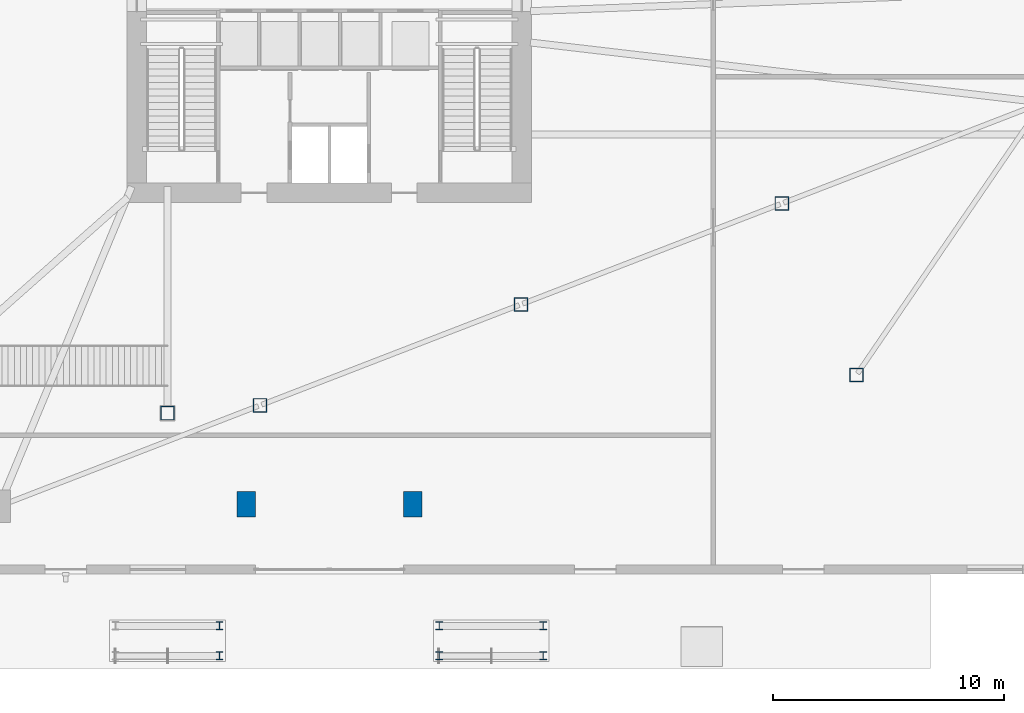
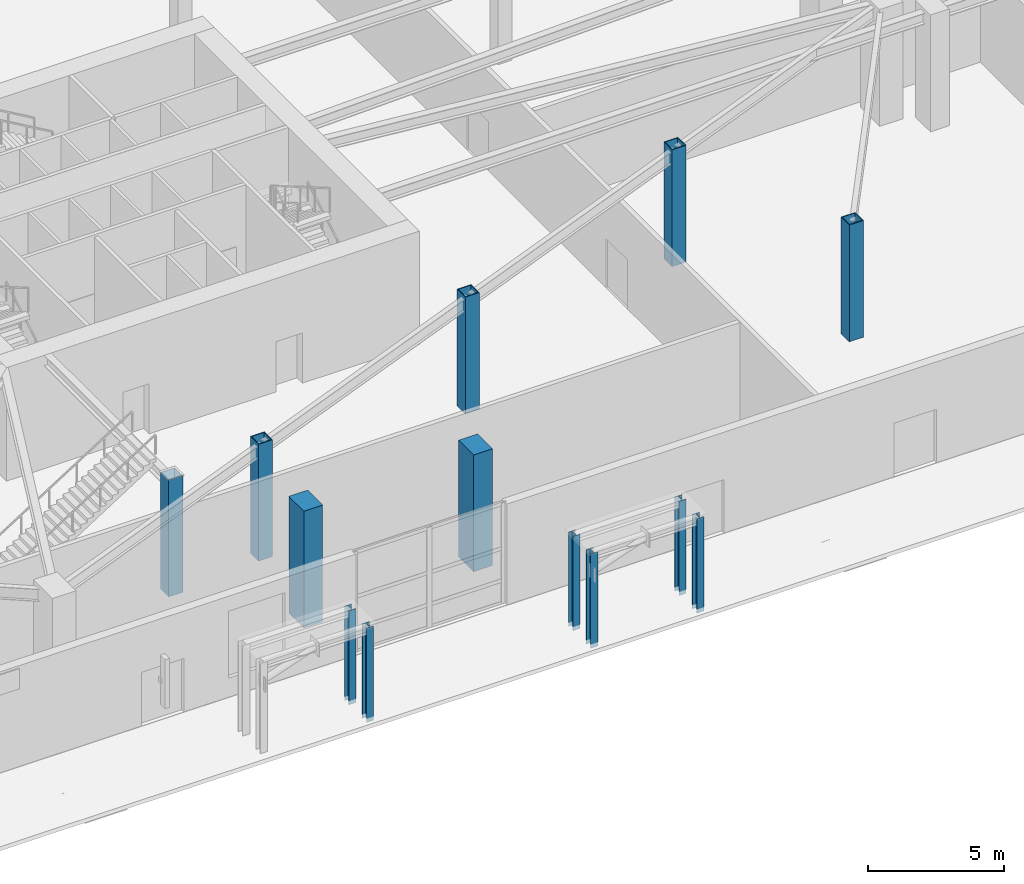
# One storey, part 2 of 22: 13 columns.
"""IFC4 building model written with IfcOpenShell, lengths in metres."""

from ifc_helpers import new_model, si_unit, direction, frame, origin, origin_2d, place, context, subcontext, project, spatial, rectangle, hollow_rectangle, i_section, extrude, source, transform, mapped, material, material_profile, profile_set, type_object, element, save


model = new_model("IFC4")

# Units and contexts
model_context = context("Model", 3, precision=1e-05, world=origin(), true_north=direction((0.0, 1.0)))
body_context = subcontext(model_context, "Body", "Model", "MODEL_VIEW")
ifc_project = project(units=[si_unit("LENGTHUNIT", "METRE"), si_unit("AREAUNIT", "SQUARE_METRE"), si_unit("VOLUMEUNIT", "CUBIC_METRE"), si_unit("PLANEANGLEUNIT", "RADIAN"), si_unit("MASSUNIT", "GRAM", prefix="KILO")], contexts=[model_context])

# Site, building, storey
site_placement = place(None, origin())
site = spatial("IfcSite", under=ifc_project, at=site_placement, CompositionType="ELEMENT")
building_placement = place(site_placement, origin())
building = spatial("IfcBuilding", under=site, at=building_placement, Name="Olszyna Solenne Hotel", CompositionType="ELEMENT")
storey_placement = place(building_placement, origin())
storey = spatial("IfcBuildingStorey", under=building, at=storey_placement, Name="L00", CompositionType="ELEMENT", Elevation=0.0)

# Columns
ifc_material_1 = material(Name="Steel S460M", Category="steel")
ifc_material_profile_1 = material_profile(ifc_material_1, hollow_rectangle(XDim=0.60009765625, YDim=0.60009765625, WallThickness=0.034912109375, at=origin_2d()), Name="SHS 600x600x35", Category="load-bearing")
ifc_profile_set_1 = profile_set([ifc_material_profile_1], Name="Steel S460M")
column_type_1 = type_object("IfcColumnType", Name="COL-P2", PredefinedType="COLUMN", material=ifc_profile_set_1)
shared_shape_1 = source(origin(), body_context, "Body", "SweptSolid", [
    extrude(hollow_rectangle(XDim=0.60009765625, YDim=0.60009765625, WallThickness=0.034912109375, at=origin_2d()), origin(), (0.0, 0.0, 1.0), 5.235107421875),
])
for number, where, z_axis, x_axis, name in (
    (1, (60.800048828125, 11.199951171875, 0.0), (0.0, 0.0, 1.0), (1.0, 0.0, 0.0), "Podium mega-column COL-P2 C-L00-P2-03"),
    (2, (35.000244140625, 9.88623046875, 0.0), (0.0, 0.0, 1.0), (1.0, 0.0, 0.0), "Podium transfer-support column COL-P2 C-L00-TG-06"),
    (3, (46.2861328125, 14.25244140625, 0.0), (0.0, 0.0, 1.0), (1.0, 0.0, 0.0), "Podium transfer-support column COL-P2 C-L00-TG-07"),
    (4, (57.572265625, 18.618408203125, 0.0), (0.0, 0.0, 1.0), (1.0, 0.0, 0.0), "Podium transfer-support column COL-P2 C-L00-TG-08"),
    (5, (31.0, 9.550048828125, 0.0), (0.0, 0.0, 1.0), (1.0, 0.0, 0.0), "Feature stair support column COL-P2 C-L00-FS1"),
):
    element("IfcColumn", number, at=place(storey_placement, frame(where, z_axis=z_axis, x_axis=x_axis)), inside=storey, type_object=column_type_1, Name=name, PredefinedType="COLUMN", context=body_context, shape_type="MappedRepresentation", body=[
        mapped(shared_shape_1, transform((0.0, 0.0, 0.0), x_axis=(1.0, 0.0, 0.0), y_axis=(0.0, 1.0, 0.0), z_axis=(0.0, 0.0, 1.0), scale=1.0)),
    ])
ifc_material_2 = material(Name="Concrete C50/60", Category="concrete")
ifc_material_profile_2 = material_profile(ifc_material_2, rectangle(XDim=0.800048828125, YDim=1.10009765625, at=origin_2d()), Name="RC 1100x800", Category="load-bearing")
ifc_profile_set_2 = profile_set([ifc_material_profile_2], Name="Concrete C50/60")
column_type_2 = type_object("IfcColumnType", Name="COL-B1", PredefinedType="COLUMN", material=ifc_profile_set_2)
shared_shape_2 = source(origin(), body_context, "Body", "SweptSolid", [
    extrude(rectangle(XDim=0.800048828125, YDim=1.10009765625, at=origin_2d()), origin(), (0.0, 0.0, 1.0), 5.235107421875),
])
for number, where, z_axis, x_axis, name in (
    (6, (34.39990234375, 5.60009765625, 0.0), (0.0, 0.0, 1.0), (1.0, 0.0, 0.0), "Basement perimeter column COL-B1 C-L00-B1-06"),
    (7, (41.60009765625, 5.60009765625, 0.0), (0.0, 0.0, 1.0), (1.0, 0.0, 0.0), "Basement perimeter column COL-B1 C-L00-B1-07"),
):
    element("IfcColumn", number, at=place(storey_placement, frame(where, z_axis=z_axis, x_axis=x_axis)), inside=storey, type_object=column_type_2, Name=name, PredefinedType="COLUMN", context=body_context, shape_type="MappedRepresentation", body=[
        mapped(shared_shape_2, transform((0.0, 0.0, 0.0), x_axis=(1.0, 0.0, 0.0), y_axis=(0.0, 1.0, 0.0), z_axis=(0.0, 0.0, 1.0), scale=1.0)),
    ])
ifc_material_3 = material(Name="Steel S355J2", Category="steel")
ifc_material_profile_3 = material_profile(ifc_material_3, i_section(OverallWidth=0.300048828125, OverallDepth=0.340087890625, WebThickness=0.011962890625, FlangeThickness=0.021484375, at=origin_2d()), Name="HEB 340", Category="load-bearing")
ifc_profile_set_3 = profile_set([ifc_material_profile_3], Name="Steel S355J2")
column_type_3 = type_object("IfcColumnType", Name="COL-S1", PredefinedType="COLUMN", material=ifc_profile_set_3)
shared_shape_3 = source(origin(), body_context, "Body", "SweptSolid", [
    extrude(i_section(OverallWidth=0.300048828125, OverallDepth=0.340087890625, WebThickness=0.011962890625, FlangeThickness=0.021484375, at=origin_2d()), origin(), (0.0, 0.0, 1.0), 4.219970703125),
])
for number, where, z_axis, x_axis, name in (
    (8, (33.25, -0.949951171875, -0.179931640625), (0.0, 0.0, 1.0), (1.0, 0.0, 0.0), "Forecourt canopy column COL-S1 C-L00-CN-S1-2"),
    (9, (33.25, 0.35009765625, -0.179931640625), (0.0, 0.0, 1.0), (1.0, 0.0, 0.0), "Forecourt canopy column COL-S1 C-L00-CN-S1-3"),
    (10, (42.75, -0.949951171875, -0.179931640625), (0.0, 0.0, 1.0), (1.0, 0.0, 0.0), "Forecourt canopy column COL-S1 C-L00-CN-S2-1"),
    (11, (47.25, -0.949951171875, -0.179931640625), (0.0, 0.0, 1.0), (1.0, 0.0, 0.0), "Forecourt canopy column COL-S1 C-L00-CN-S2-2"),
    (12, (47.25, 0.35009765625, -0.179931640625), (0.0, 0.0, 1.0), (1.0, 0.0, 0.0), "Forecourt canopy column COL-S1 C-L00-CN-S2-3"),
    (13, (42.75, 0.35009765625, -0.179931640625), (0.0, 0.0, 1.0), (1.0, 0.0, 0.0), "Forecourt canopy column COL-S1 C-L00-CN-S2-4"),
):
    element("IfcColumn", number, at=place(storey_placement, frame(where, z_axis=z_axis, x_axis=x_axis)), inside=storey, type_object=column_type_3, Name=name, PredefinedType="COLUMN", context=body_context, shape_type="MappedRepresentation", body=[
        mapped(shared_shape_3, transform((0.0, 0.0, 0.0), x_axis=(1.0, 0.0, 0.0), y_axis=(0.0, 1.0, 0.0), z_axis=(0.0, 0.0, 1.0), scale=1.0)),
    ])

save(model, "model.ifc")
